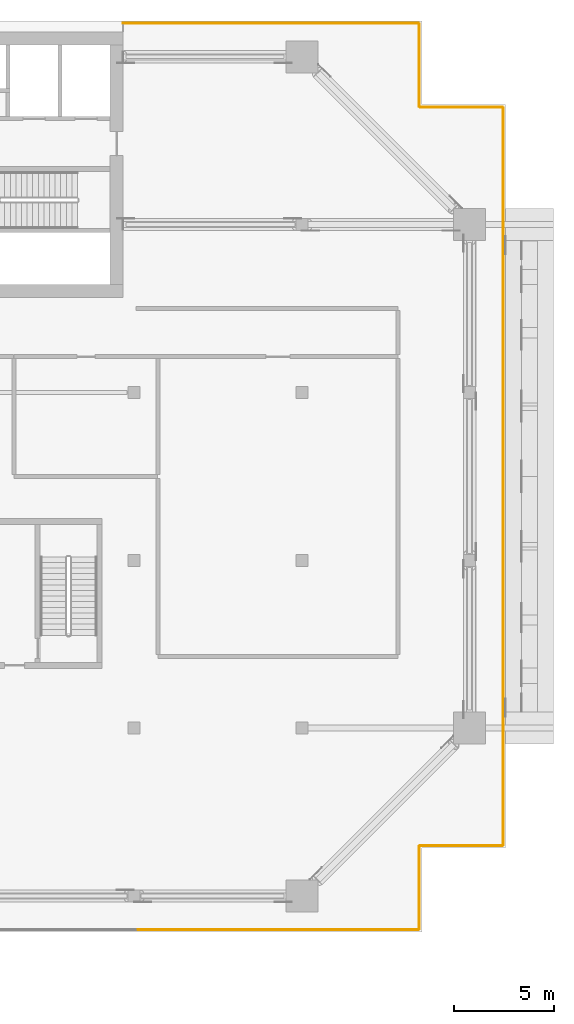
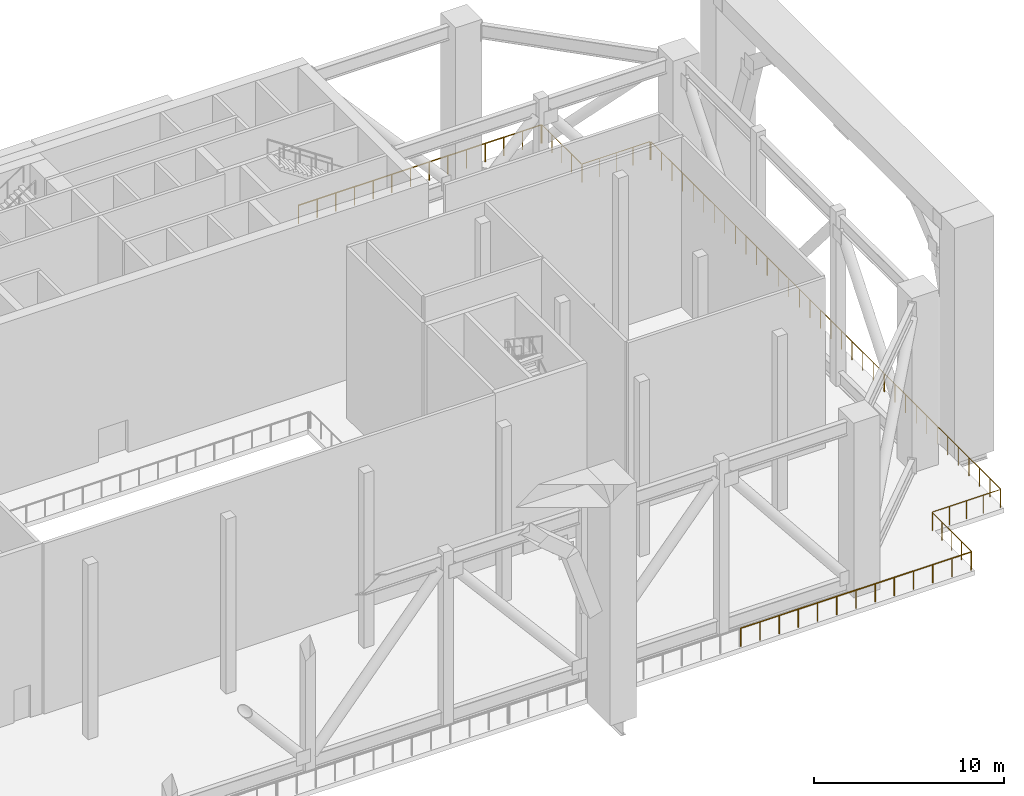
# One storey, part 19 of 19: 9 railings.
"""IFC4 building model written with IfcOpenShell, lengths in metres."""

from ifc_helpers import new_model, si_unit, direction, frame, origin, origin_2d, place, context, subcontext, project, spatial, circle, extrude, material, type_object, element, save


model = new_model("IFC4")

# Units and contexts
model_context = context("Model", 3, precision=1e-05, world=origin(), true_north=direction((0.0, 1.0)))
body_context = subcontext(model_context, "Body", "Model", "MODEL_VIEW")
ifc_project = project(units=[si_unit("LENGTHUNIT", "METRE"), si_unit("AREAUNIT", "SQUARE_METRE"), si_unit("VOLUMEUNIT", "CUBIC_METRE"), si_unit("PLANEANGLEUNIT", "RADIAN"), si_unit("MASSUNIT", "GRAM", prefix="KILO")], contexts=[model_context])

# Site, building, storey
site_placement = place(None, origin())
site = spatial("IfcSite", under=ifc_project, at=site_placement, CompositionType="ELEMENT")
building_placement = place(site_placement, origin())
building = spatial("IfcBuilding", under=site, at=building_placement, Name="Saffron Gate Tower", CompositionType="ELEMENT")
storey_placement = place(building_placement, frame((0.0, 0.0, 194.25)))
storey = spatial("IfcBuildingStorey", under=building, at=storey_placement, Name="L48", CompositionType="ELEMENT", Elevation=194.25)

# Railings
ifc_material = material(Name="Stainless steel posts and toughened glass infill", Category="steel")
railing_type = type_object("IfcRailingType", Name="BAL1 balustrade 1200", PredefinedType="BALUSTRADE", material=ifc_material)
railing_1_placement = place(storey_placement, frame((108.80810546875, 30.1201171875, 0.0)))
element("IfcRailing", 1, at=railing_1_placement, inside=storey, type_object=railing_type, Name="GUARD portal deck edge", PredefinedType="BALUSTRADE", context=body_context, shape_type="SweptSolid", body=[
    extrude(circle(Radius=0.02392578125, at=origin_2d()), frame((0.0, 0.0, 1.17578125), z_axis=(1.0, 0.0, 0.0), x_axis=(0.0, 1.0, 0.0)), (0.0, 0.0, 1.0), 14.031982421875),
    extrude(circle(Radius=0.02099609375, at=origin_2d()), origin(), (0.0, 0.0, 1.0), 1.15185546875),
    extrude(circle(Radius=0.02099609375, at=origin_2d()), frame((1.16943359375, 0.0, 0.0)), (0.0, 0.0, 1.0), 1.15185546875),
    extrude(circle(Radius=0.02099609375, at=origin_2d()), frame((2.338623046875, 0.0, 0.0)), (0.0, 0.0, 1.0), 1.15185546875),
    extrude(circle(Radius=0.02099609375, at=origin_2d()), frame((3.508056640625, 0.0, 0.0)), (0.0, 0.0, 1.0), 1.15185546875),
    extrude(circle(Radius=0.02099609375, at=origin_2d()), frame((4.67724609375, 0.0, 0.0)), (0.0, 0.0, 1.0), 1.15185546875),
    extrude(circle(Radius=0.02099609375, at=origin_2d()), frame((5.8466796875, 0.0, 0.0)), (0.0, 0.0, 1.0), 1.15185546875),
    extrude(circle(Radius=0.02099609375, at=origin_2d()), frame((7.01611328125, 0.0, 0.0)), (0.0, 0.0, 1.0), 1.15185546875),
    extrude(circle(Radius=0.02099609375, at=origin_2d()), frame((8.185302734375, 0.0, 0.0)), (0.0, 0.0, 1.0), 1.15185546875),
    extrude(circle(Radius=0.02099609375, at=origin_2d()), frame((9.354736328125, 0.0, 0.0)), (0.0, 0.0, 1.0), 1.15185546875),
    extrude(circle(Radius=0.02099609375, at=origin_2d()), frame((10.52392578125, 0.0, 0.0)), (0.0, 0.0, 1.0), 1.15185546875),
    extrude(circle(Radius=0.02099609375, at=origin_2d()), frame((11.693359375, 0.0, 0.0)), (0.0, 0.0, 1.0), 1.15185546875),
    extrude(circle(Radius=0.02099609375, at=origin_2d()), frame((12.862548828125, 0.0, 0.0)), (0.0, 0.0, 1.0), 1.15185546875),
    extrude(circle(Radius=0.02099609375, at=origin_2d()), frame((14.031982421875, 0.0, 0.0)), (0.0, 0.0, 1.0), 1.15185546875),
])
railing_2_placement = place(storey_placement, frame((122.8798828125, 30.159912109375, 0.0)))
element("IfcRailing", 2, at=railing_2_placement, inside=storey, type_object=railing_type, Name="GUARD portal deck edge", PredefinedType="BALUSTRADE", context=body_context, shape_type="SweptSolid", body=[
    extrude(circle(Radius=0.02392578125, at=origin_2d()), frame((0.0, 0.0, 1.17578125), z_axis=(0.0, 1.0, 0.0), x_axis=(-1.0, 0.0, 0.0)), (0.0, 0.0, 1.0), 4.1201171875),
    extrude(circle(Radius=0.02099609375, at=origin_2d()), origin(), (0.0, 0.0, 1.0), 1.15185546875),
    extrude(circle(Radius=0.02099609375, at=origin_2d()), frame((0.0, 1.030029296875, 0.0)), (0.0, 0.0, 1.0), 1.15185546875),
    extrude(circle(Radius=0.02099609375, at=origin_2d()), frame((0.0, 2.06005859375, 0.0)), (0.0, 0.0, 1.0), 1.15185546875),
    extrude(circle(Radius=0.02099609375, at=origin_2d()), frame((0.0, 3.090087890625, 0.0)), (0.0, 0.0, 1.0), 1.15185546875),
    extrude(circle(Radius=0.02099609375, at=origin_2d()), frame((0.0, 4.1201171875, 0.0)), (0.0, 0.0, 1.0), 1.15185546875),
])
railing_3_placement = place(storey_placement, frame((122.919921875, 34.320068359375, 0.0)))
element("IfcRailing", 3, at=railing_3_placement, inside=storey, type_object=railing_type, Name="GUARD portal deck edge", PredefinedType="BALUSTRADE", context=body_context, shape_type="SweptSolid", body=[
    extrude(circle(Radius=0.02392578125, at=origin_2d()), frame((0.0, 0.0, 1.17578125), z_axis=(1.0, 0.0, 0.0), x_axis=(0.0, 1.0, 0.0)), (0.0, 0.0, 1.0), 4.1201171875),
    extrude(circle(Radius=0.02099609375, at=origin_2d()), origin(), (0.0, 0.0, 1.0), 1.15185546875),
    extrude(circle(Radius=0.02099609375, at=origin_2d()), frame((1.030029296875, 0.0, 0.0)), (0.0, 0.0, 1.0), 1.15185546875),
    extrude(circle(Radius=0.02099609375, at=origin_2d()), frame((2.06005859375, 0.0, 0.0)), (0.0, 0.0, 1.0), 1.15185546875),
    extrude(circle(Radius=0.02099609375, at=origin_2d()), frame((3.090087890625, 0.0, 0.0)), (0.0, 0.0, 1.0), 1.15185546875),
    extrude(circle(Radius=0.02099609375, at=origin_2d()), frame((4.1201171875, 0.0, 0.0)), (0.0, 0.0, 1.0), 1.15185546875),
])
for number, where, name in (
    (4, (127.080078125, 34.360107421875, 0.0), "GUARD portal deck edge"),
    (5, (127.080078125, 46.679931640625, 0.0), "GUARD portal deck edge"),
    (6, (127.080078125, 59.0, 0.0), "GUARD portal deck edge"),
):
    element("IfcRailing", number, at=place(storey_placement, frame(where)), inside=storey, type_object=railing_type, Name=name, PredefinedType="BALUSTRADE", context=body_context, shape_type="SweptSolid", body=[
        extrude(circle(Radius=0.02392578125, at=origin_2d()), frame((0.0, 0.0, 1.17578125), z_axis=(0.0, 1.0, 0.0), x_axis=(-1.0, 0.0, 0.0)), (0.0, 0.0, 1.0), 12.239990234375),
        extrude(circle(Radius=0.02099609375, at=origin_2d()), origin(), (0.0, 0.0, 1.0), 1.15185546875),
        extrude(circle(Radius=0.02099609375, at=origin_2d()), frame((0.0, 1.11279296875, 0.0)), (0.0, 0.0, 1.0), 1.15185546875),
        extrude(circle(Radius=0.02099609375, at=origin_2d()), frame((0.0, 2.225341796875, 0.0)), (0.0, 0.0, 1.0), 1.15185546875),
        extrude(circle(Radius=0.02099609375, at=origin_2d()), frame((0.0, 3.338134765625, 0.0)), (0.0, 0.0, 1.0), 1.15185546875),
        extrude(circle(Radius=0.02099609375, at=origin_2d()), frame((0.0, 4.450927734375, 0.0)), (0.0, 0.0, 1.0), 1.15185546875),
        extrude(circle(Radius=0.02099609375, at=origin_2d()), frame((0.0, 5.563720703125, 0.0)), (0.0, 0.0, 1.0), 1.15185546875),
        extrude(circle(Radius=0.02099609375, at=origin_2d()), frame((0.0, 6.67626953125, 0.0)), (0.0, 0.0, 1.0), 1.15185546875),
        extrude(circle(Radius=0.02099609375, at=origin_2d()), frame((0.0, 7.7890625, 0.0)), (0.0, 0.0, 1.0), 1.15185546875),
        extrude(circle(Radius=0.02099609375, at=origin_2d()), frame((0.0, 8.90185546875, 0.0)), (0.0, 0.0, 1.0), 1.15185546875),
        extrude(circle(Radius=0.02099609375, at=origin_2d()), frame((0.0, 10.0146484375, 0.0)), (0.0, 0.0, 1.0), 1.15185546875),
        extrude(circle(Radius=0.02099609375, at=origin_2d()), frame((0.0, 11.127197265625, 0.0)), (0.0, 0.0, 1.0), 1.15185546875),
        extrude(circle(Radius=0.02099609375, at=origin_2d()), frame((0.0, 12.239990234375, 0.0)), (0.0, 0.0, 1.0), 1.15185546875),
    ])
railing_4_placement = place(storey_placement, frame((127.0400390625, 71.280029296875, 0.0)))
element("IfcRailing", 7, at=railing_4_placement, inside=storey, type_object=railing_type, Name="GUARD portal deck edge", PredefinedType="BALUSTRADE", context=body_context, shape_type="SweptSolid", body=[
    extrude(circle(Radius=0.02392578125, at=origin_2d()), frame((0.0, 0.0, 1.17578125), z_axis=(-1.0, 0.0, 0.0), x_axis=(0.0, -1.0, 0.0)), (0.0, 0.0, 1.0), 4.1201171875),
    extrude(circle(Radius=0.02099609375, at=origin_2d()), origin(), (0.0, 0.0, 1.0), 1.15185546875),
    extrude(circle(Radius=0.02099609375, at=origin_2d()), frame((-1.030029296875, 0.0, 0.0)), (0.0, 0.0, 1.0), 1.15185546875),
    extrude(circle(Radius=0.02099609375, at=origin_2d()), frame((-2.06005859375, 0.0, 0.0)), (0.0, 0.0, 1.0), 1.15185546875),
    extrude(circle(Radius=0.02099609375, at=origin_2d()), frame((-3.090087890625, 0.0, 0.0)), (0.0, 0.0, 1.0), 1.15185546875),
    extrude(circle(Radius=0.02099609375, at=origin_2d()), frame((-4.1201171875, 0.0, 0.0)), (0.0, 0.0, 1.0), 1.15185546875),
])
railing_5_placement = place(storey_placement, frame((122.8798828125, 71.320068359375, 0.0)))
element("IfcRailing", 8, at=railing_5_placement, inside=storey, type_object=railing_type, Name="GUARD portal deck edge", PredefinedType="BALUSTRADE", context=body_context, shape_type="SweptSolid", body=[
    extrude(circle(Radius=0.02392578125, at=origin_2d()), frame((0.0, 0.0, 1.17578125), z_axis=(0.0, 1.0, 0.0), x_axis=(-1.0, 0.0, 0.0)), (0.0, 0.0, 1.0), 4.119873046875),
    extrude(circle(Radius=0.02099609375, at=origin_2d()), origin(), (0.0, 0.0, 1.0), 1.15185546875),
    extrude(circle(Radius=0.02099609375, at=origin_2d()), frame((0.0, 1.030029296875, 0.0)), (0.0, 0.0, 1.0), 1.15185546875),
    extrude(circle(Radius=0.02099609375, at=origin_2d()), frame((0.0, 2.06005859375, 0.0)), (0.0, 0.0, 1.0), 1.15185546875),
    extrude(circle(Radius=0.02099609375, at=origin_2d()), frame((0.0, 3.08984375, 0.0)), (0.0, 0.0, 1.0), 1.15185546875),
    extrude(circle(Radius=0.02099609375, at=origin_2d()), frame((0.0, 4.119873046875, 0.0)), (0.0, 0.0, 1.0), 1.15185546875),
])
railing_6_placement = place(storey_placement, frame((122.840087890625, 75.47998046875, 0.0)))
element("IfcRailing", 9, at=railing_6_placement, inside=storey, type_object=railing_type, Name="GUARD portal deck edge", PredefinedType="BALUSTRADE", context=body_context, shape_type="SweptSolid", body=[
    extrude(circle(Radius=0.02392578125, at=origin_2d()), frame((0.0, 0.0, 1.17578125), z_axis=(-1.0, 0.0, 0.0), x_axis=(0.0, -1.0, 0.0)), (0.0, 0.0, 1.0), 14.7900390625),
    extrude(circle(Radius=0.02099609375, at=origin_2d()), origin(), (0.0, 0.0, 1.0), 1.15185546875),
    extrude(circle(Radius=0.02099609375, at=origin_2d()), frame((-1.1376953125, 0.0, 0.0)), (0.0, 0.0, 1.0), 1.15185546875),
    extrude(circle(Radius=0.02099609375, at=origin_2d()), frame((-2.275390625, 0.0, 0.0)), (0.0, 0.0, 1.0), 1.15185546875),
    extrude(circle(Radius=0.02099609375, at=origin_2d()), frame((-3.4130859375, 0.0, 0.0)), (0.0, 0.0, 1.0), 1.15185546875),
    extrude(circle(Radius=0.02099609375, at=origin_2d()), frame((-4.55078125, 0.0, 0.0)), (0.0, 0.0, 1.0), 1.15185546875),
    extrude(circle(Radius=0.02099609375, at=origin_2d()), frame((-5.6884765625, 0.0, 0.0)), (0.0, 0.0, 1.0), 1.15185546875),
    extrude(circle(Radius=0.02099609375, at=origin_2d()), frame((-6.826171875, 0.0, 0.0)), (0.0, 0.0, 1.0), 1.15185546875),
    extrude(circle(Radius=0.02099609375, at=origin_2d()), frame((-7.9638671875, 0.0, 0.0)), (0.0, 0.0, 1.0), 1.15185546875),
    extrude(circle(Radius=0.02099609375, at=origin_2d()), frame((-9.1015625, 0.0, 0.0)), (0.0, 0.0, 1.0), 1.15185546875),
    extrude(circle(Radius=0.02099609375, at=origin_2d()), frame((-10.2392578125, 0.0, 0.0)), (0.0, 0.0, 1.0), 1.15185546875),
    extrude(circle(Radius=0.02099609375, at=origin_2d()), frame((-11.376953125, 0.0, 0.0)), (0.0, 0.0, 1.0), 1.15185546875),
    extrude(circle(Radius=0.02099609375, at=origin_2d()), frame((-12.5146484375, 0.0, 0.0)), (0.0, 0.0, 1.0), 1.15185546875),
    extrude(circle(Radius=0.02099609375, at=origin_2d()), frame((-13.65234375, 0.0, 0.0)), (0.0, 0.0, 1.0), 1.15185546875),
    extrude(circle(Radius=0.02099609375, at=origin_2d()), frame((-14.7900390625, 0.0, 0.0)), (0.0, 0.0, 1.0), 1.15185546875),
])

save(model, "model.ifc")
